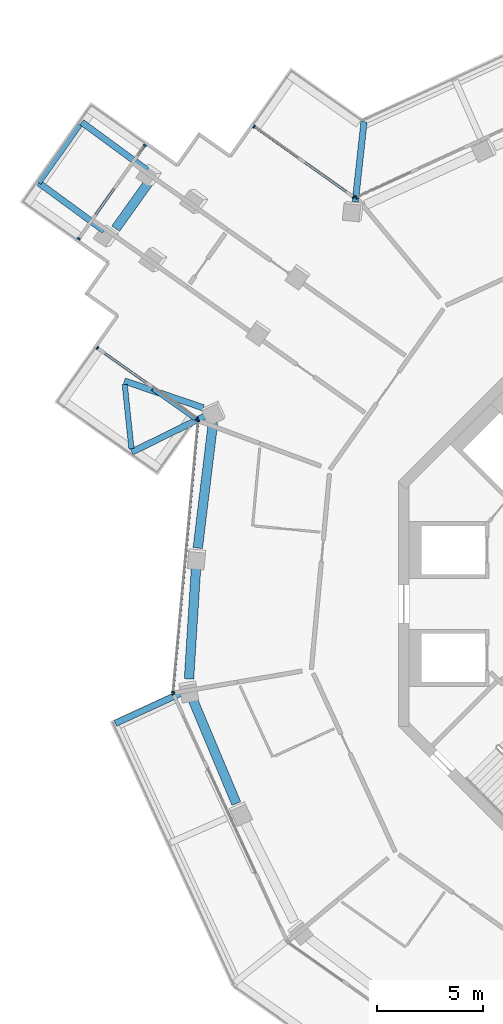
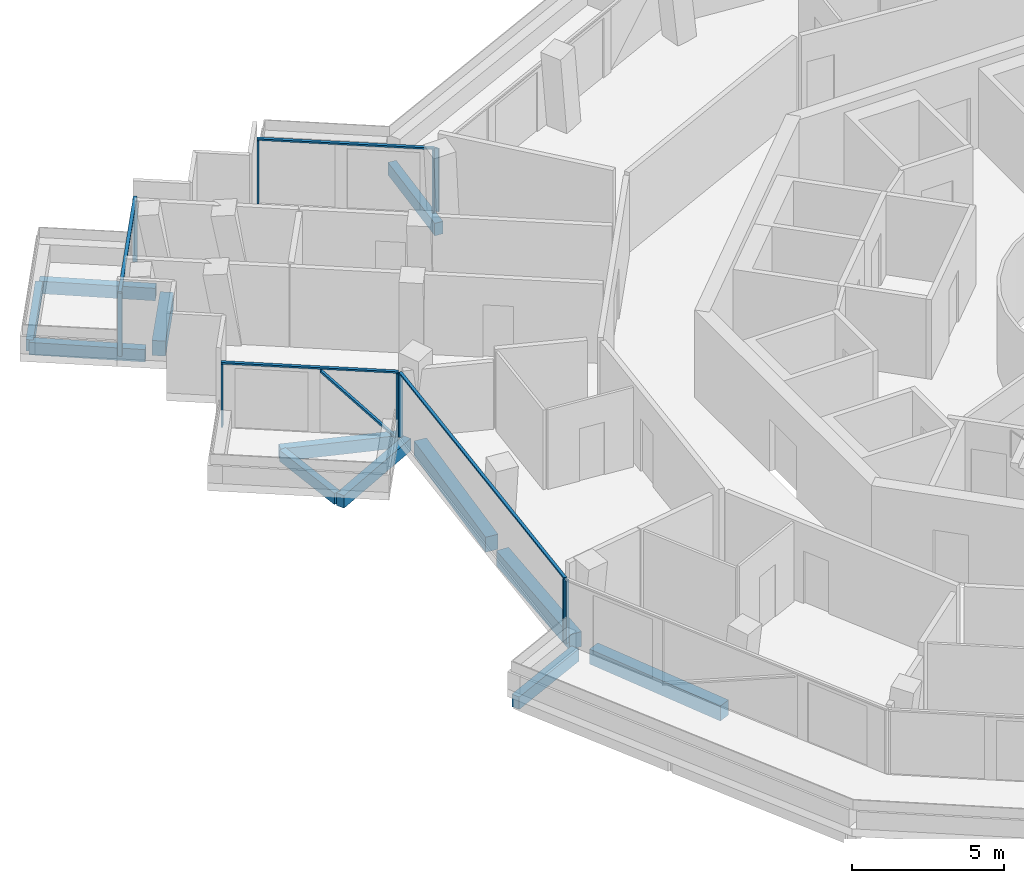
# One storey, part 6 of 23: 15 members, 12 beams, 6 elements without a shape of their own.
"""IFC4 building model written with IfcOpenShell, lengths in metres."""

from ifc_helpers import new_model, si_unit, direction, frame, origin, origin_2d, place, context, subcontext, project, spatial, rectangle, extrude, material, layer, layer_set, material_profile, profile_set, type_object, element, aggregate, save


model = new_model("IFC4")

# Units and contexts
model_context = context("Model", 3, precision=1e-05, world=origin(), true_north=direction((0.0, 1.0)))
body_context = subcontext(model_context, "Body", "Model", "MODEL_VIEW")
ifc_project = project(units=[si_unit("LENGTHUNIT", "METRE"), si_unit("AREAUNIT", "SQUARE_METRE"), si_unit("VOLUMEUNIT", "CUBIC_METRE"), si_unit("PLANEANGLEUNIT", "RADIAN"), si_unit("MASSUNIT", "GRAM", prefix="KILO")], contexts=[model_context])

# Site, building, storey
site_placement = place(None, origin())
site = spatial("IfcSite", under=ifc_project, at=site_placement, CompositionType="ELEMENT")
building_placement = place(site_placement, origin())
building = spatial("IfcBuilding", under=site, at=building_placement, Name="Verdalira Terraces Hotel", CompositionType="ELEMENT")
storey_placement = place(building_placement, frame((0.0, 0.0, 256.0)))
storey = spatial("IfcBuildingStorey", under=building, at=storey_placement, Name="L63", CompositionType="ELEMENT", Elevation=256.0)

# Beams
ifc_material_1 = material(Name="Concrete C40", Category="concrete")
ifc_material_profile_1 = material_profile(ifc_material_1, rectangle(XDim=0.300049, YDim=0.5, at=origin_2d()), Name="RC 300X500")
ifc_profile_set_1 = profile_set([ifc_material_profile_1], Name="Concrete C40")
beam_type_1 = type_object("IfcBeamType", Name="Balcony cantilever beam RC 300X500 C40", PredefinedType="BEAM", material=ifc_profile_set_1)
beam_1_placement = place(storey_placement, frame((-25.904053, 20.549072, -0.560059), z_axis=(-0.806514143, 0.591214798, 0.0), x_axis=(-0.591214798, -0.806514143, 0.0)))
element("IfcBeam", 1, at=beam_1_placement, inside=storey, type_object=beam_type_1, Name="Balcony cantilever beam R05-1", PredefinedType="BEAM", context=body_context, shape_type="SweptSolid", body=[
    extrude(rectangle(XDim=0.300049, YDim=0.5, at=origin_2d()), origin(), (0.0, 0.0, 1.0), 3.8396),
])
beam_2_placement = place(storey_placement, frame((-27.941406, 17.678711, -0.560059), z_axis=(-0.806560841, 0.591151089, 0.0), x_axis=(-0.591151089, -0.806560841, 0.0)))
element("IfcBeam", 2, at=beam_2_placement, inside=storey, type_object=beam_type_1, Name="Balcony cantilever beam R05-2", PredefinedType="BEAM", context=body_context, shape_type="SweptSolid", body=[
    extrude(rectangle(XDim=0.300049, YDim=0.5, at=origin_2d()), origin(), (0.0, 0.0, 1.0), 3.834229),
])
for number, where, z_axis, x_axis, name in (
    (3, (-23.239258, 9.289307, -0.560059), (-0.946919579, 0.321470544, 0.0), (-0.321470544, -0.946919579, 0.0), "Balcony cantilever beam R10-1"),
    (4, (-23.084473, 8.937988, -0.560059), (-0.896861466, -0.442311554, 0.0), (0.442311554, -0.896861466, 0.0), "Balcony cantilever beam R10-2"),
):
    element("IfcBeam", number, at=place(storey_placement, frame(where, z_axis=z_axis, x_axis=x_axis)), inside=storey, type_object=beam_type_1, Name=name, PredefinedType="BEAM", context=body_context, shape_type="SweptSolid", body=[
        extrude(rectangle(XDim=0.300049, YDim=0.5, at=origin_2d()), origin(), (0.0, 0.0, 1.0), 3.949951),
    ])
beam_3_placement = place(storey_placement, frame((-24.320801, -4.23877, -0.560059), z_axis=(-0.908392647, -0.418118164, 0.0), x_axis=(0.418118164, -0.908392647, 0.0)))
element("IfcBeam", 5, at=beam_3_placement, inside=storey, type_object=beam_type_1, Name="Balcony cantilever beam R12-3", PredefinedType="BEAM", context=body_context, shape_type="SweptSolid", body=[
    extrude(rectangle(XDim=0.300049, YDim=0.5, at=origin_2d()), origin(), (0.0, 0.0, 1.0), 3.393555),
])
beam_4_placement = place(storey_placement, frame((-16.04126, 19.048584, -0.560059), z_axis=(0.108719683, 0.994072447, 0.0), x_axis=(-0.994072447, 0.108719683, 0.0)))
element("IfcBeam", 6, at=beam_4_placement, inside=storey, type_object=beam_type_1, Name="Balcony cantilever beam R41-3", PredefinedType="BEAM", context=body_context, shape_type="SweptSolid", body=[
    extrude(rectangle(XDim=0.300049, YDim=0.5, at=origin_2d()), origin(), (0.0, 0.0, 1.0), 3.819824),
])
ifc_material_2 = material(Name="Concrete C40", Category="concrete")
ifc_material_profile_2 = material_profile(ifc_material_2, rectangle(XDim=0.25, YDim=0.449951, at=origin_2d()), Name="RC 250X450")
ifc_profile_set_2 = profile_set([ifc_material_profile_2], Name="Concrete C40")
beam_type_2 = type_object("IfcBeamType", Name="Balcony edge beam RC 250X450 C40", PredefinedType="BEAM", material=ifc_profile_set_2)
beam_5_placement = place(storey_placement, frame((-29.087402, 22.696533, -0.534912), z_axis=(-0.577573061, -0.816338998, 0.0), x_axis=(0.816338998, -0.577573061, 0.0)))
element("IfcBeam", 7, at=beam_5_placement, inside=storey, type_object=beam_type_2, Name="Balcony edge beam R05-1", PredefinedType="BEAM", context=body_context, shape_type="SweptSolid", body=[
    extrude(rectangle(XDim=0.25, YDim=0.449951, at=origin_2d()), origin(), (0.0, 0.0, 1.0), 3.370117),
])
beam_6_placement = place(storey_placement, frame((-26.962402, 10.394775, -0.534912), z_axis=(0.104066255, -0.994570367, 0.0), x_axis=(0.994570367, 0.104066255, 0.0)))
element("IfcBeam", 8, at=beam_6_placement, inside=storey, type_object=beam_type_2, Name="Balcony edge beam R10-1", PredefinedType="BEAM", context=body_context, shape_type="SweptSolid", body=[
    extrude(rectangle(XDim=0.25, YDim=0.449951, at=origin_2d()), origin(), (0.0, 0.0, 1.0), 3.061523),
])

# Curtain wall, members
ifc_material_3 = material(Name="Clear glass", Category="glass")
ifc_layer_1 = layer(ifc_material_3, 0.14990234375)
ifc_layer_set_1 = layer_set([ifc_layer_1], Name="CW1 curtain wall")
curtain_wall_type_1 = type_object("IfcCurtainWallType", Name="CW1 curtain wall", PredefinedType="NOTDEFINED", material=ifc_layer_set_1)
curtain_wall_1_placement = place(storey_placement, origin())
curtain_wall_1 = element("IfcCurtainWall", 9, at=curtain_wall_1_placement, inside=storey, type_object=curtain_wall_type_1, Name="CW1 curtain wall L63 edge 11", PredefinedType="NOTDEFINED")
ifc_material_4 = material(Name="Terracotta frame", Category="masonry")
ifc_material_profile_3 = material_profile(ifc_material_4, rectangle(XDim=0.060059, YDim=0.149902, at=origin_2d()), Name="MU 60x150")
ifc_profile_set_3 = profile_set([ifc_material_profile_3], Name="Terracotta frame")
member_type_1 = type_object("IfcMemberType", Name="CW1 mullion 60x150", PredefinedType="MULLION", material=ifc_profile_set_3)
member_1_placement = place(storey_placement, frame((-23.485352, 8.667969, 0.0), z_axis=(0.0, 0.0, 1.0), x_axis=(-0.092023008, -0.995756881, 0.0)))
member_1 = element("IfcMember", 10, at=member_1_placement, type_object=member_type_1, Name="CW1 mullion", PredefinedType="MULLION", context=body_context, shape_type="SweptSolid", body=[
    extrude(rectangle(XDim=0.060059, YDim=0.149902, at=origin_2d()), origin(), (0.0, 0.0, 1.0), 2.524902),
])
member_2_placement = place(storey_placement, frame((-24.672363, -4.177002, 0.0), z_axis=(0.0, 0.0, 1.0), x_axis=(-0.092023008, -0.995756881, 0.0)))
member_2 = element("IfcMember", 11, at=member_2_placement, type_object=member_type_1, Name="CW1 mullion", PredefinedType="MULLION", context=body_context, shape_type="SweptSolid", body=[
    extrude(rectangle(XDim=0.060059, YDim=0.149902, at=origin_2d()), origin(), (0.0, 0.0, 1.0), 2.524902),
])

# Curtain wall, member
curtain_wall_2_placement = place(storey_placement, origin())
curtain_wall_2 = element("IfcCurtainWall", 12, at=curtain_wall_2_placement, inside=storey, type_object=curtain_wall_type_1, Name="CW1 curtain wall L63 edge 12", PredefinedType="NOTDEFINED")
member_3_placement = place(storey_placement, frame((-24.656006, -4.272461, 0.0), z_axis=(0.0, 0.0, 1.0), x_axis=(0.418184178, -0.908362259, 0.0)))
member_3 = element("IfcMember", 13, at=member_3_placement, type_object=member_type_1, Name="CW1 mullion", PredefinedType="MULLION", context=body_context, shape_type="SweptSolid", body=[
    extrude(rectangle(XDim=0.060059, YDim=0.149902, at=origin_2d()), origin(), (0.0, 0.0, 1.0), 2.524902),
])
aggregate(curtain_wall_2, [member_3])

curtain_wall_3_placement = place(storey_placement, origin())
curtain_wall_3 = element("IfcCurtainWall", 14, at=curtain_wall_3_placement, inside=storey, type_object=curtain_wall_type_1, Name="CW1 curtain wall L63 edge 41", PredefinedType="NOTDEFINED")
member_4_placement = place(storey_placement, frame((-15.990234, 19.261475, 0.0), z_axis=(0.0, 0.0, 1.0), x_axis=(-0.908362259, -0.418184178, 0.0)))
member_4 = element("IfcMember", 15, at=member_4_placement, type_object=member_type_1, Name="CW1 mullion", PredefinedType="MULLION", context=body_context, shape_type="SweptSolid", body=[
    extrude(rectangle(XDim=0.060059, YDim=0.149902, at=origin_2d()), origin(), (0.0, 0.0, 1.0), 2.524902),
])
aggregate(curtain_wall_3, [member_4])

# Member
ifc_material_5 = material(Name="Terracotta frame", Category="masonry")
ifc_material_profile_4 = material_profile(ifc_material_5, rectangle(XDim=0.110107, YDim=0.064941, at=origin_2d()), Name="TR 65x110")
ifc_profile_set_4 = profile_set([ifc_material_profile_4], Name="Terracotta frame")
member_type_2 = type_object("IfcMemberType", Name="CW1 transom 65x110", PredefinedType="USERDEFINED", material=ifc_profile_set_4)
member_5_placement = place(storey_placement, frame((-23.482666, 8.697754, 2.557617), z_axis=(-0.092006584, -0.995758399, 0.0), x_axis=(0.995758399, -0.092006584, 0.0)))
member_5 = element("IfcMember", 16, at=member_5_placement, type_object=member_type_2, Name="CW1 transom", ObjectType="TRANSOM", PredefinedType="USERDEFINED", context=body_context, shape_type="SweptSolid", body=[
    extrude(rectangle(XDim=0.110107, YDim=0.064941, at=origin_2d()), origin(), (0.0, 0.0, 1.0), 12.959717),
])

aggregate(curtain_wall_1, [member_1, member_2, member_5])

# Curtain wall, members
ifc_material_6 = material(Name="Clear glass", Category="glass")
ifc_layer_2 = layer(ifc_material_6, 0.14990234375)
ifc_layer_set_2 = layer_set([ifc_layer_2], Name="CW2 curtain wall")
curtain_wall_type_2 = type_object("IfcCurtainWallType", Name="CW2 curtain wall", PredefinedType="NOTDEFINED", material=ifc_layer_set_2)
curtain_wall_4_placement = place(storey_placement, origin())
curtain_wall_4 = element("IfcCurtainWall", 17, at=curtain_wall_4_placement, inside=storey, type_object=curtain_wall_type_2, Name="CW2 curtain wall L63 edge 0", PredefinedType="NOTDEFINED")
ifc_material_7 = material(Name="Terracotta frame", Category="masonry")
ifc_material_profile_5 = material_profile(ifc_material_7, rectangle(XDim=0.070068, YDim=0.149902, at=origin_2d()), Name="MU 70x150")
ifc_profile_set_5 = profile_set([ifc_material_profile_5], Name="Terracotta frame")
member_type_3 = type_object("IfcMemberType", Name="CW2 mullion 70x150", PredefinedType="MULLION", material=ifc_profile_set_5)
member_6_placement = place(storey_placement, frame((-16.120605, 19.276123, 0.0), z_axis=(0.0, 0.0, 1.0), x_axis=(-0.816339251, 0.577572703, 0.0)))
member_6 = element("IfcMember", 18, at=member_6_placement, type_object=member_type_3, Name="CW2 mullion", PredefinedType="MULLION", context=body_context, shape_type="SweptSolid", body=[
    extrude(rectangle(XDim=0.070068, YDim=0.149902, at=origin_2d()), origin(), (0.0, 0.0, 1.0), 2.524902),
])
member_7_placement = place(storey_placement, frame((-20.835693, 22.612061, 0.0), z_axis=(0.0, 0.0, 1.0), x_axis=(-0.816339251, 0.577572703, 0.0)))
member_7 = element("IfcMember", 19, at=member_7_placement, type_object=member_type_3, Name="CW2 mullion", PredefinedType="MULLION", context=body_context, shape_type="SweptSolid", body=[
    extrude(rectangle(XDim=0.070068, YDim=0.149902, at=origin_2d()), origin(), (0.0, 0.0, 1.0), 2.524902),
])

curtain_wall_5_placement = place(storey_placement, origin())
curtain_wall_5 = element("IfcCurtainWall", 20, at=curtain_wall_5_placement, inside=storey, type_object=curtain_wall_type_2, Name="CW2 curtain wall L63 edge 10", PredefinedType="NOTDEFINED")
member_8_placement = place(storey_placement, frame((-28.257568, 12.12207, 0.0), z_axis=(0.0, 0.0, 1.0), x_axis=(0.816339251, -0.577572703, 0.0)))
member_8 = element("IfcMember", 21, at=member_8_placement, type_object=member_type_3, Name="CW2 mullion", PredefinedType="MULLION", context=body_context, shape_type="SweptSolid", body=[
    extrude(rectangle(XDim=0.070068, YDim=0.149902, at=origin_2d()), origin(), (0.0, 0.0, 1.0), 2.524902),
])
member_9_placement = place(storey_placement, frame((-23.54248, 8.786133, 0.0), z_axis=(0.0, 0.0, 1.0), x_axis=(0.816339251, -0.577572703, 0.0)))
member_9 = element("IfcMember", 22, at=member_9_placement, type_object=member_type_3, Name="CW2 mullion", PredefinedType="MULLION", context=body_context, shape_type="SweptSolid", body=[
    extrude(rectangle(XDim=0.070068, YDim=0.149902, at=origin_2d()), origin(), (0.0, 0.0, 1.0), 2.524902),
])

# Member
ifc_material_8 = material(Name="Terracotta frame", Category="masonry")
ifc_material_profile_6 = material_profile(ifc_material_8, rectangle(XDim=0.11499, YDim=0.064941, at=origin_2d()), Name="TR 65x115")
ifc_profile_set_6 = profile_set([ifc_material_profile_6], Name="Terracotta frame")
member_type_4 = type_object("IfcMemberType", Name="CW2 transom 65x115", PredefinedType="USERDEFINED", material=ifc_profile_set_6)
member_10_placement = place(storey_placement, frame((-16.092041, 19.255859, 2.557617), z_axis=(-0.816335435, 0.577578097, 0.0), x_axis=(-0.577578097, -0.816335435, 0.0)))
member_10 = element("IfcMember", 23, at=member_10_placement, type_object=member_type_4, Name="CW2 transom", ObjectType="TRANSOM", PredefinedType="USERDEFINED", context=body_context, shape_type="SweptSolid", body=[
    extrude(rectangle(XDim=0.11499, YDim=0.064941, at=origin_2d()), origin(), (0.0, 0.0, 1.0), 5.845947),
])

aggregate(curtain_wall_4, [member_6, member_7, member_10])

member_11_placement = place(storey_placement, frame((-28.286133, 12.142334, 2.557617), z_axis=(0.816335435, -0.577578097, 0.0), x_axis=(0.577578097, 0.816335435, 0.0)))
member_11 = element("IfcMember", 24, at=member_11_placement, type_object=member_type_4, Name="CW2 transom", ObjectType="TRANSOM", PredefinedType="USERDEFINED", context=body_context, shape_type="SweptSolid", body=[
    extrude(rectangle(XDim=0.11499, YDim=0.064941, at=origin_2d()), origin(), (0.0, 0.0, 1.0), 5.845947),
])

# Curtain wall, members
ifc_material_9 = material(Name="Clear glass", Category="glass")
ifc_layer_3 = layer(ifc_material_9, 0.14990234375)
ifc_layer_set_3 = layer_set([ifc_layer_3], Name="CW3 curtain wall")
curtain_wall_type_3 = type_object("IfcCurtainWallType", Name="CW3 curtain wall", PredefinedType="NOTDEFINED", material=ifc_layer_set_3)
curtain_wall_6_placement = place(storey_placement, origin())
curtain_wall_6 = element("IfcCurtainWall", 25, at=curtain_wall_6_placement, inside=storey, type_object=curtain_wall_type_3, Name="CW3 curtain wall L63 edge 5", PredefinedType="NOTDEFINED")
ifc_material_10 = material(Name="Terracotta frame", Category="masonry")
ifc_material_profile_7 = material_profile(ifc_material_10, rectangle(XDim=0.080078, YDim=0.149902, at=origin_2d()), Name="MU 80x150")
ifc_profile_set_7 = profile_set([ifc_material_profile_7], Name="Terracotta frame")
member_type_5 = type_object("IfcMemberType", Name="CW3 mullion 80x150", PredefinedType="MULLION", material=ifc_profile_set_7)
member_12_placement = place(storey_placement, frame((-26.01001, 21.722168, 0.0), z_axis=(0.0, 0.0, 1.0), x_axis=(-0.577572703, -0.816339251, 0.0)))
member_12 = element("IfcMember", 26, at=member_12_placement, type_object=member_type_5, Name="CW3 mullion", PredefinedType="MULLION", context=body_context, shape_type="SweptSolid", body=[
    extrude(rectangle(XDim=0.080078, YDim=0.149902, at=origin_2d()), origin(), (0.0, 0.0, 1.0), 2.524902),
])
member_13_placement = place(storey_placement, frame((-29.140381, 17.297607, 0.0), z_axis=(0.0, 0.0, 1.0), x_axis=(-0.577572703, -0.816339251, 0.0)))
member_13 = element("IfcMember", 27, at=member_13_placement, type_object=member_type_5, Name="CW3 mullion", PredefinedType="MULLION", context=body_context, shape_type="SweptSolid", body=[
    extrude(rectangle(XDim=0.080078, YDim=0.149902, at=origin_2d()), origin(), (0.0, 0.0, 1.0), 2.524902),
])
ifc_material_11 = material(Name="Terracotta frame", Category="masonry")
ifc_material_profile_8 = material_profile(ifc_material_11, rectangle(XDim=0.120117, YDim=0.064941, at=origin_2d()), Name="TR 65x120")
ifc_profile_set_8 = profile_set([ifc_material_profile_8], Name="Terracotta frame")
member_type_6 = type_object("IfcMemberType", Name="CW3 transom 65x120", PredefinedType="USERDEFINED", material=ifc_profile_set_8)
member_14_placement = place(storey_placement, frame((-25.986816, 21.754883, 2.557617), z_axis=(-0.577575122, -0.81633754, 0.0), x_axis=(0.81633754, -0.577575122, 0.0)))
member_14 = element("IfcMember", 28, at=member_14_placement, type_object=member_type_6, Name="CW3 transom", ObjectType="TRANSOM", PredefinedType="USERDEFINED", context=body_context, shape_type="SweptSolid", body=[
    extrude(rectangle(XDim=0.120117, YDim=0.064941, at=origin_2d()), origin(), (0.0, 0.0, 1.0), 5.500244),
])
aggregate(curtain_wall_6, [member_12, member_13, member_14])

# Member
ifc_material_12 = material(Name="Terracotta frame", Category="masonry")
ifc_material_profile_9 = material_profile(ifc_material_12, rectangle(XDim=0.149902, YDim=0.060059, at=origin_2d()), Name="GB 60x150")
ifc_profile_set_9 = profile_set([ifc_material_profile_9], Name="Terracotta frame")
member_type_7 = type_object("IfcMemberType", Name="Diagonal glazing bar 60x150", PredefinedType="USERDEFINED", material=ifc_profile_set_9)
member_15_placement = place(storey_placement, frame((-25.650635, 10.16626, 2.502197), z_axis=(0.57503131, -0.406862435, -0.709790076), x_axis=(0.577590536, 0.816326634, 0.0)))
member_15 = element("IfcMember", 29, at=member_15_placement, type_object=member_type_7, Name="Diagonal glazing bar", ObjectType="GLAZING BAR", PredefinedType="USERDEFINED", context=body_context, shape_type="SweptSolid", body=[
    extrude(rectangle(XDim=0.149902, YDim=0.060059, at=origin_2d()), origin(), (0.0, 0.0, 1.0), 3.49292),
])

aggregate(curtain_wall_5, [member_8, member_9, member_11, member_15])

# Beams
ifc_material_13 = material(Name="Concrete C40", Category="concrete")
ifc_material_profile_10 = material_profile(ifc_material_13, rectangle(XDim=0.449951, YDim=0.600098, at=origin_2d()), Name="RC 450X600")
ifc_profile_set_10 = profile_set([ifc_material_profile_10], Name="Concrete C40")
beam_type_3 = type_object("IfcBeamType", Name="Spandrel beam RC 450X600 C40", PredefinedType="SPANDREL", material=ifc_profile_set_10)
beam_7_placement = place(storey_placement, frame((-25.762207, 20.063477, -0.610107), z_axis=(-0.579980155, -0.814630604, 0.0), x_axis=(0.814630604, -0.579980155, 0.0)))
element("IfcBeam", 30, at=beam_7_placement, inside=storey, type_object=beam_type_3, Name="Spandrel beam B01", PredefinedType="SPANDREL", context=body_context, shape_type="SweptSolid", body=[
    extrude(rectangle(XDim=0.449951, YDim=0.600098, at=origin_2d()), origin(), (0.0, 0.0, 1.0), 2.810303),
])
beam_8_placement = place(storey_placement, frame((-22.77832, 8.603516, -0.610107), z_axis=(-0.120653403, -0.992694694, 0.0), x_axis=(0.992694694, -0.120653403, 0.0)))
element("IfcBeam", 31, at=beam_8_placement, inside=storey, type_object=beam_type_3, Name="Spandrel beam B02", PredefinedType="SPANDREL", context=body_context, shape_type="SweptSolid", body=[
    extrude(rectangle(XDim=0.449951, YDim=0.600098, at=origin_2d()), origin(), (0.0, 0.0, 1.0), 5.999756),
])
beam_9_placement = place(storey_placement, frame((-23.577393, 1.828857, -0.610107), z_axis=(-0.06322638, -0.997999211, 0.0), x_axis=(0.997999211, -0.06322638, 0.0)))
element("IfcBeam", 32, at=beam_9_placement, inside=storey, type_object=beam_type_3, Name="Spandrel beam B03", PredefinedType="SPANDREL", context=body_context, shape_type="SweptSolid", body=[
    extrude(rectangle(XDim=0.449951, YDim=0.600098, at=origin_2d()), origin(), (0.0, 0.0, 1.0), 5.394287),
])
beam_10_placement = place(storey_placement, frame((-23.76123, -4.477295, -0.610107), z_axis=(0.386371715, -0.922343156, 0.0), x_axis=(0.922343156, 0.386371715, 0.0)))
element("IfcBeam", 33, at=beam_10_placement, inside=storey, type_object=beam_type_3, Name="Spandrel beam B04", PredefinedType="SPANDREL", context=body_context, shape_type="SweptSolid", body=[
    extrude(rectangle(XDim=0.449951, YDim=0.600098, at=origin_2d()), origin(), (0.0, 0.0, 1.0), 5.396973),
])

save(model, "model.ifc")
